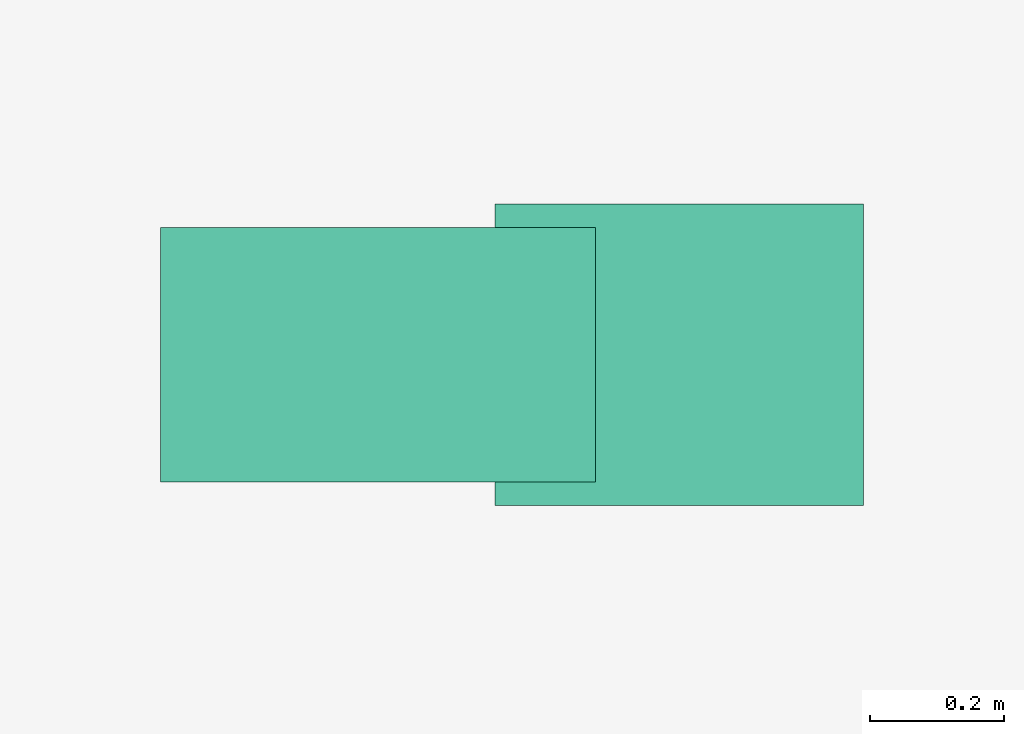
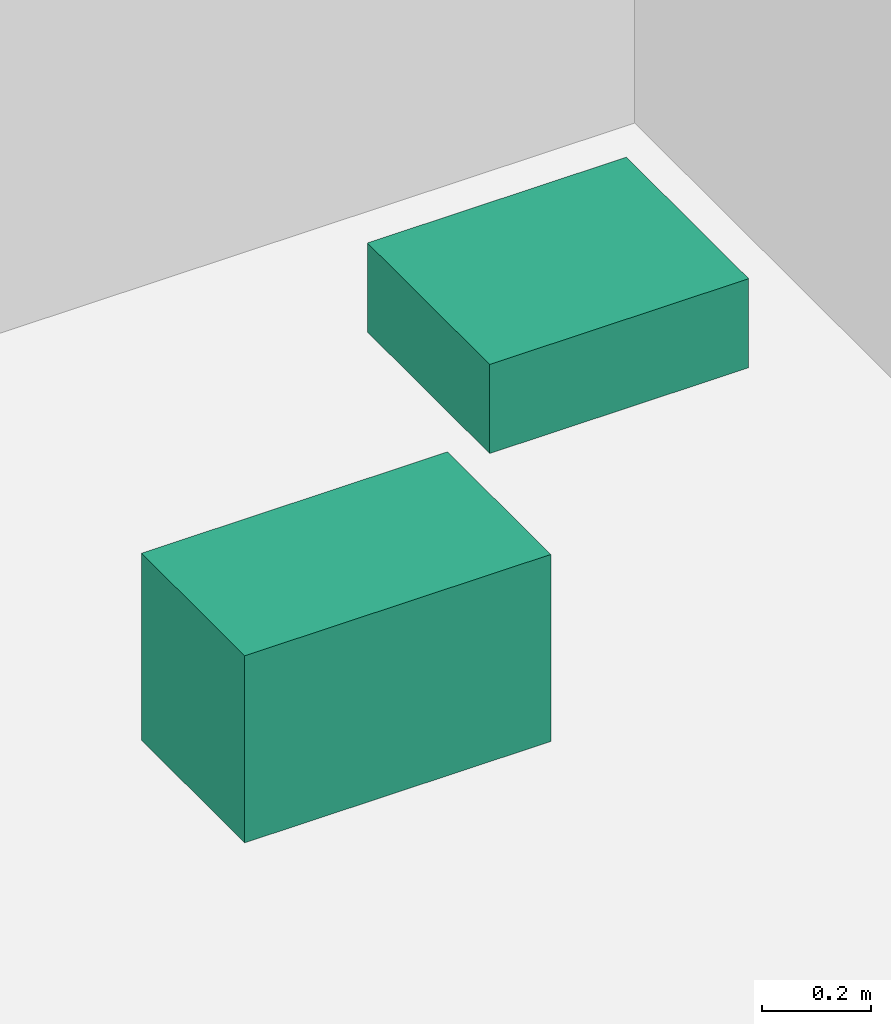
# One storey, part 7 of 7: 2 sanitary terminals.
"""IFC4 building model written with IfcOpenShell, lengths in metres."""

from ifc_helpers import new_model, si_unit, direction, frame, origin, origin_2d, place, context, subcontext, project, spatial, rectangle, extrude, material, type_object, element, save


model = new_model("IFC4")

# Units and contexts
model_context = context("Model", 3, precision=1e-05, world=origin(), true_north=direction((0.0, 1.0)))
body_context = subcontext(model_context, "Body", "Model", "MODEL_VIEW")
ifc_project = project(units=[si_unit("LENGTHUNIT", "METRE"), si_unit("AREAUNIT", "SQUARE_METRE"), si_unit("VOLUMEUNIT", "CUBIC_METRE"), si_unit("PLANEANGLEUNIT", "RADIAN"), si_unit("MASSUNIT", "GRAM", prefix="KILO")], contexts=[model_context])

# Site, building, storey
site_placement = place(None, origin())
site = spatial("IfcSite", under=ifc_project, at=site_placement, CompositionType="ELEMENT")
building_placement = place(site_placement, origin())
building = spatial("IfcBuilding", under=site, at=building_placement, Name="Savorim Split Tower", CompositionType="ELEMENT")
storey_placement = place(building_placement, frame((0.0, 0.0, 319.199951171875)))
storey = spatial("IfcBuildingStorey", under=building, at=storey_placement, Name="Crown L85 Plant", CompositionType="ELEMENT", Elevation=319.199951171875)

# Sanitary terminals
ifc_material = material(Name="Vitreous China Sanitaryware")
sanitary_terminal_type_1 = type_object("IfcSanitaryTerminalType", Name="SAN-WC-PAN", PredefinedType="TOILETPAN", material=ifc_material)
sanitary_terminal_1_placement = place(storey_placement, frame((-2.77490234375, -7.60009765625, 0.0), z_axis=(0.0, 0.0, 1.0), x_axis=(1.0, 0.0, 0.0)))
element("IfcSanitaryTerminal", 1, at=sanitary_terminal_1_placement, inside=storey, type_object=sanitary_terminal_type_1, Name="Crown L85 Plant Accessible WC WC Pan", PredefinedType="TOILETPAN", context=body_context, shape_type="SweptSolid", body=[
    extrude(rectangle(XDim=0.64990234375, YDim=0.3798828125, at=origin_2d()), origin(), (0.0, 0.0, 1.0), 0.419921875),
])
sanitary_terminal_type_2 = type_object("IfcSanitaryTerminalType", Name="SAN-WHB-550", PredefinedType="WASHHANDBASIN", material=ifc_material)
sanitary_terminal_2_placement = place(storey_placement, frame((-2.324951171875, -7.60009765625, 0.72021484375), z_axis=(0.0, 0.0, 1.0), x_axis=(1.0, 0.0, 0.0)))
element("IfcSanitaryTerminal", 2, at=sanitary_terminal_2_placement, inside=storey, type_object=sanitary_terminal_type_2, Name="Crown L85 Plant Accessible WC Washhand Basin", PredefinedType="WASHHANDBASIN", context=body_context, shape_type="SweptSolid", body=[
    extrude(rectangle(XDim=0.550048828125, YDim=0.449951171875, at=origin_2d()), origin(), (0.0, 0.0, 1.0), 0.199951171875),
])

save(model, "model.ifc")
